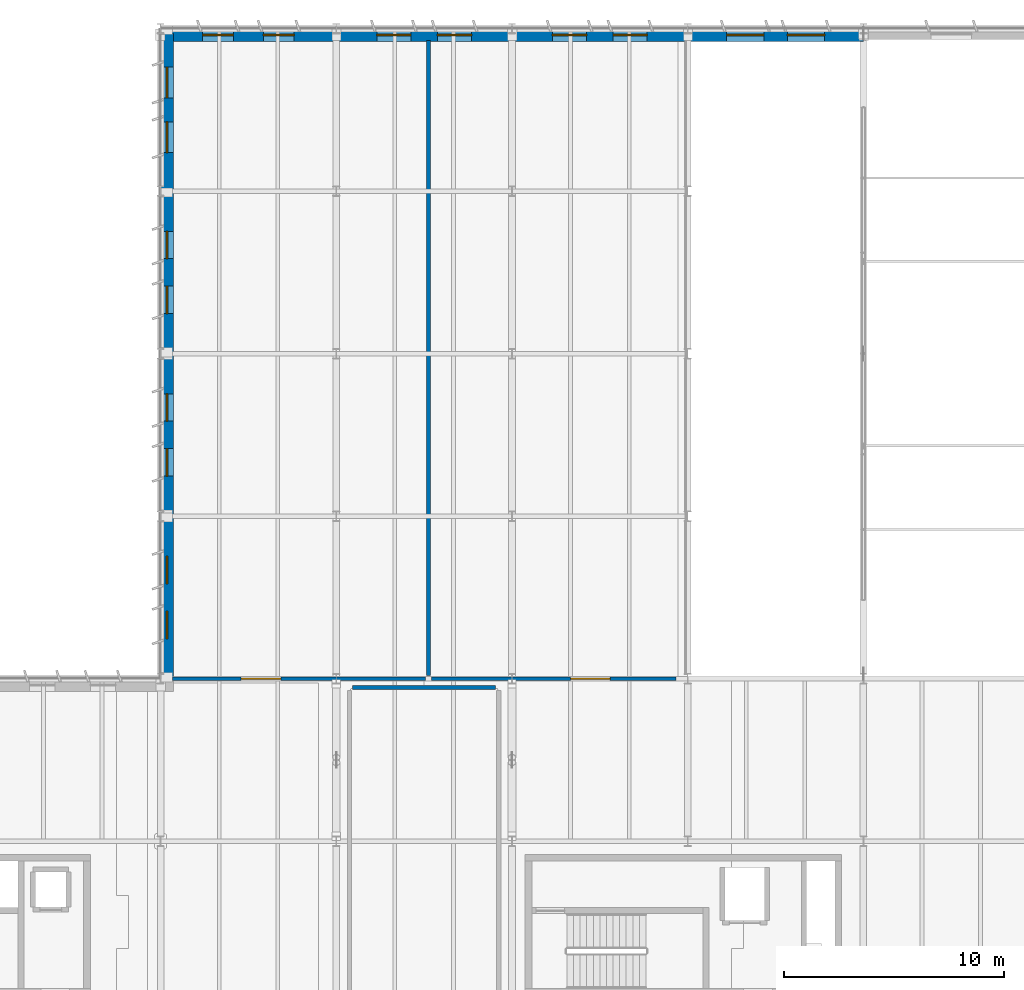
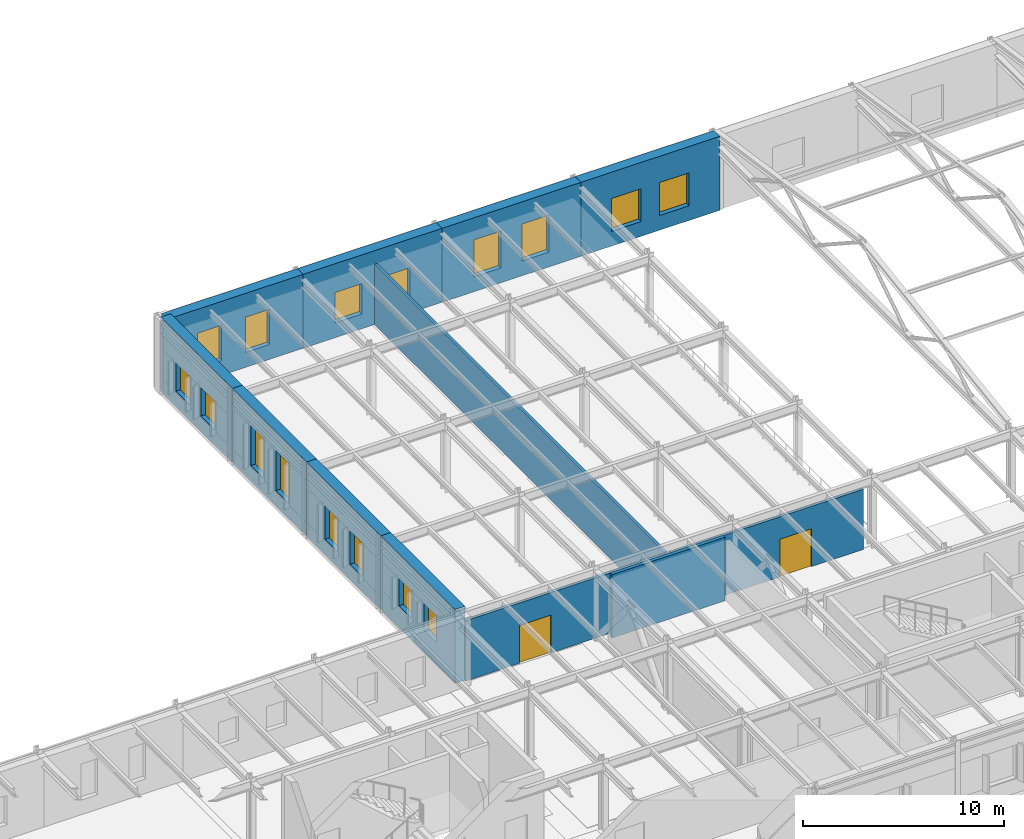
# One storey, part 49 of 75: 16 windows, 12 walls, 2 doors, 18 openings.
"""IFC4 building model written with IfcOpenShell, lengths in metres."""

from ifc_helpers import new_model, si_unit, direction, frame, frame_2d, origin, place, context, subcontext, project, spatial, rectangle, extrude, material, layer, layer_set, type_object, element, fill, save


model = new_model("IFC4")

# Units and contexts
model_context = context("Model", 3, precision=1e-05, world=origin(), true_north=direction((0.0, 1.0)))
body_context = subcontext(model_context, "Body", "Model", "MODEL_VIEW")
ifc_project = project(units=[si_unit("LENGTHUNIT", "METRE"), si_unit("AREAUNIT", "SQUARE_METRE"), si_unit("VOLUMEUNIT", "CUBIC_METRE"), si_unit("PLANEANGLEUNIT", "RADIAN"), si_unit("MASSUNIT", "GRAM", prefix="KILO")], contexts=[model_context])

# Site, building, storey
site_placement = place(None, origin())
site = spatial("IfcSite", under=ifc_project, at=site_placement, CompositionType="ELEMENT")
building_placement = place(site_placement, origin())
building = spatial("IfcBuilding", under=site, at=building_placement, Name="Valkorina Park Police Headquarters", CompositionType="ELEMENT")
storey_placement = place(building_placement, frame((0.0, 0.0, 5.39990234375)))
storey = spatial("IfcBuildingStorey", under=building, at=storey_placement, Name="L02", CompositionType="ELEMENT", Elevation=5.39990234375)

# Wall, opening, door
ifc_material_1 = material(Name="Acoustic mineral board")
ifc_layer_1 = layer(ifc_material_1, 0.175048828125)
ifc_layer_set_1 = layer_set([ifc_layer_1], Name="Acoustic mineral board")
wall_type_1 = type_object("IfcWallType", Name="WL-BRIEF-175-EI60", PredefinedType="PARTITIONING", material=ifc_layer_set_1)
wall_1_placement = place(storey_placement, frame((97.340087890625, 81.39990234375, 0.0), z_axis=(0.0, 0.0, 1.0), x_axis=(1.0, 0.0, 0.0)))
wall_1 = element("IfcWall", 1, at=wall_1_placement, inside=storey, type_object=wall_type_1, Name="L02 Interior Partition 0148 (L02-BRF-01)", PredefinedType="PARTITIONING", context=body_context, shape_type="SweptSolid", body=[
    extrude(rectangle(XDim=11.52001953125, YDim=0.175048828125, at=frame_2d((5.760009765625, 0.0))), origin(), (0.0, 0.0, 1.0), 3.670166015625),
])
opening_1_placement = place(wall_1_placement, frame((3.132080078125, 0.0, 0.0)))
opening_1 = element("IfcOpeningElement", 2, at=opening_1_placement, cuts=wall_1, Name="Opening ID-09", PredefinedType="OPENING", context=body_context, shape_type="SweptSolid", body=[
    extrude(rectangle(XDim=1.800048828125, YDim=2.300048828125, at=frame_2d((0.89990234375, 1.14990234375))), frame((0.0, 0.09765625, 0.0), z_axis=(0.0, -1.0, 0.0), x_axis=(1.0, 0.0, 0.0)), (0.0, 0.0, 1.0), 0.195068359375),
])
ifc_material_2 = material(Name="Thermally broken aluminium AW-6060", Category="aluminium")
ifc_layer_2 = layer(ifc_material_2, 0.050048828125)
ifc_layer_set_2 = layer_set([ifc_layer_2], Name="Thermally broken aluminium AW-6060")
door_type = type_object("IfcDoorType", Name="DR-INT-AUD-1800x2300", OperationType="NOTDEFINED", PredefinedType="DOOR", material=ifc_layer_set_2)
door_1_placement = place(opening_1_placement, origin())
door_1 = element("IfcDoor", 3, at=door_1_placement, inside=storey, type_object=door_type, Name="Door D-L02-I067 (L02-BRF-01)", OperationType="DOUBLE_DOOR_SINGLE_SWING", OverallHeight=2.300048828125, OverallWidth=1.800048828125, PredefinedType="DOOR", context=body_context, shape_type="SweptSolid", body=[
    extrude(rectangle(XDim=1.800048828125, YDim=2.300048828125, at=frame_2d((0.89990234375, 1.14990234375))), frame((0.0, 0.02490234375, 0.0), z_axis=(0.0, -1.0, 0.0), x_axis=(1.0, 0.0, 0.0)), (0.0, 0.0, 1.0), 0.050048828125),
])
fill(opening_1, door_1)

# Wall
wall_2_placement = place(storey_placement, frame((109.0, 81.5400390625, 0.0), z_axis=(0.0, 0.0, 1.0), x_axis=(0.0, 1.0, 0.0)))
element("IfcWall", 4, at=wall_2_placement, inside=storey, type_object=wall_type_1, Name="L02 Interior Partition 0149 (L02-BRF-01)", PredefinedType="PARTITIONING", context=body_context, shape_type="SweptSolid", body=[
    extrude(rectangle(XDim=28.919921875, YDim=0.175048828125, at=frame_2d((14.4599609375, 0.0))), origin(), (0.0, 0.0, 1.0), 3.670166015625),
])

# Wall, opening, door
wall_3_placement = place(storey_placement, frame((109.139892578125, 81.39990234375, 0.0), z_axis=(0.0, 0.0, 1.0), x_axis=(1.0, 0.0, 0.0)))
wall_3 = element("IfcWall", 5, at=wall_3_placement, inside=storey, type_object=wall_type_1, Name="L02 Interior Partition 0150 (L02-BRF-02)", PredefinedType="PARTITIONING", context=body_context, shape_type="SweptSolid", body=[
    extrude(rectangle(XDim=11.1201171875, YDim=0.175048828125, at=frame_2d((5.56005859375, 0.0))), origin(), (0.0, 0.0, 1.0), 3.670166015625),
])
opening_2_placement = place(wall_3_placement, frame((6.327880859375, 0.0, 0.0)))
opening_2 = element("IfcOpeningElement", 6, at=opening_2_placement, cuts=wall_3, Name="Opening ID-09", PredefinedType="OPENING", context=body_context, shape_type="SweptSolid", body=[
    extrude(rectangle(XDim=1.800048828125, YDim=2.300048828125, at=frame_2d((0.89990234375, 1.14990234375))), frame((0.0, 0.09765625, 0.0), z_axis=(0.0, -1.0, 0.0), x_axis=(1.0, 0.0, 0.0)), (0.0, 0.0, 1.0), 0.195068359375),
])
door_2_placement = place(opening_2_placement, origin())
door_2 = element("IfcDoor", 7, at=door_2_placement, inside=storey, type_object=door_type, Name="Door D-L02-I068 (L02-BRF-02)", OperationType="DOUBLE_DOOR_SINGLE_SWING", OverallHeight=2.300048828125, OverallWidth=1.800048828125, PredefinedType="DOOR", context=body_context, shape_type="SweptSolid", body=[
    extrude(rectangle(XDim=1.800048828125, YDim=2.300048828125, at=frame_2d((0.89990234375, 1.14990234375))), frame((0.0, 0.02490234375, 0.0), z_axis=(0.0, -1.0, 0.0), x_axis=(1.0, 0.0, 0.0)), (0.0, 0.0, 1.0), 0.050048828125),
])
fill(opening_2, door_2)

# Wall
ifc_material_3 = material(Name="Autoclaved aerated concrete masonry", Category="masonry")
ifc_layer_3 = layer(ifc_material_3, 0.199951171875)
ifc_layer_set_3 = layer_set([ifc_layer_3], Name="Autoclaved aerated concrete masonry")
wall_type_2 = type_object("IfcWallType", Name="WL-CORR-200-EI60", PredefinedType="STANDARD", material=ifc_layer_set_3)
wall_4_placement = place(storey_placement, frame((105.5400390625, 81.0, 0.0), z_axis=(0.0, 0.0, 1.0), x_axis=(1.0, 0.0, 0.0)))
element("IfcWall", 8, at=wall_4_placement, inside=storey, type_object=wall_type_2, Name="L02 Interior Partition 0145 (L02-IT-02)", PredefinedType="STANDARD", context=body_context, shape_type="SweptSolid", body=[
    extrude(rectangle(XDim=6.52001953125, YDim=0.199951171875, at=frame_2d((3.260009765625, 0.0))), origin(), (0.0, 0.0, 1.0), 3.860107421875),
])

# Wall, openings, windows
ifc_material_4 = material(Name="Concrete C35/45", Category="concrete")
ifc_layer_4 = layer(ifc_material_4, 0.580078125)
ifc_layer_set_4 = layer_set([ifc_layer_4], Name="Concrete C35/45")
wall_type_3 = type_object("IfcWallType", Name="WL-EXT-BOARD-580", PredefinedType="STANDARD", material=ifc_layer_set_4)
wall_5_placement = place(storey_placement, frame((97.090087890625, 81.39990234375, 0.0), z_axis=(0.0, 0.0, 1.0), x_axis=(0.0, 1.0, 0.0)))
wall_5 = element("IfcWall", 9, at=wall_5_placement, inside=storey, type_object=wall_type_3, Name="L02 Architectural Concrete Exterior Wall 0140", PredefinedType="STANDARD", context=body_context, shape_type="SweptSolid", body=[
    extrude(rectangle(XDim=7.400146484375, YDim=0.580078125, at=frame_2d((3.7001953125, 0.0))), origin(), (0.0, 0.0, 1.0), 4.5),
])
opening_3_placement = place(wall_5_placement, frame((1.82763671875, 0.0, 1.35009765625)))
opening_3 = element("IfcOpeningElement", 10, at=opening_3_placement, cuts=wall_5, Name="Opening WN-21", PredefinedType="OPENING", context=body_context, shape_type="SweptSolid", body=[
    extrude(rectangle(XDim=1.25, YDim=1.64990234375, at=frame_2d((0.625, 0.824951171875))), frame((0.0, 0.300048828125, 0.0), z_axis=(0.0, -1.0, 0.0), x_axis=(1.0, 0.0, 0.0)), (0.0, 0.0, 1.0), 0.60009765625),
])
opening_4_placement = place(wall_5_placement, frame((4.322509765625, 0.0, 1.35009765625)))
opening_4 = element("IfcOpeningElement", 11, at=opening_4_placement, cuts=wall_5, Name="Opening WN-21", PredefinedType="OPENING", context=body_context, shape_type="SweptSolid", body=[
    extrude(rectangle(XDim=1.25, YDim=1.64990234375, at=frame_2d((0.625, 0.824951171875))), frame((0.0, 0.300048828125, 0.0), z_axis=(0.0, -1.0, 0.0), x_axis=(1.0, 0.0, 0.0)), (0.0, 0.0, 1.0), 0.60009765625),
])
ifc_material_5 = material(Name="Triple low-E insulated glazing", Category="glass")
ifc_layer_5 = layer(ifc_material_5, 0.06005859375)
ifc_layer_set_5 = layer_set([ifc_layer_5], Name="Triple low-E insulated glazing")
window_type_1 = type_object("IfcWindowType", Name="WN-LAB-1250x1650", PartitioningType="SINGLE_PANEL", PredefinedType="WINDOW", material=ifc_layer_set_5)
window_1_placement = place(opening_3_placement, origin())
window_1 = element("IfcWindow", 12, at=window_1_placement, inside=storey, type_object=window_type_1, Name="Window L02-0232", OverallHeight=1.64990234375, OverallWidth=1.25, PartitioningType="SINGLE_PANEL", PredefinedType="WINDOW", context=body_context, shape_type="SweptSolid", body=[
    extrude(rectangle(XDim=1.25, YDim=1.64990234375, at=frame_2d((0.625, 0.824951171875))), frame((0.0, 0.030029296875, 0.0), z_axis=(0.0, -1.0, 0.0), x_axis=(1.0, 0.0, 0.0)), (0.0, 0.0, 1.0), 0.06005859375),
])
fill(opening_3, window_1)
window_2_placement = place(opening_4_placement, origin())
window_2 = element("IfcWindow", 13, at=window_2_placement, inside=storey, type_object=window_type_1, Name="Window L02-0233", OverallHeight=1.64990234375, OverallWidth=1.25, PartitioningType="SINGLE_PANEL", PredefinedType="WINDOW", context=body_context, shape_type="SweptSolid", body=[
    extrude(rectangle(XDim=1.25, YDim=1.64990234375, at=frame_2d((0.625, 0.824951171875))), frame((0.0, 0.030029296875, 0.0), z_axis=(0.0, -1.0, 0.0), x_axis=(1.0, 0.0, 0.0)), (0.0, 0.0, 1.0), 0.06005859375),
])
fill(opening_4, window_2)

wall_6_placement = place(storey_placement, frame((97.090087890625, 88.800048828125, 0.0), z_axis=(0.0, 0.0, 1.0), x_axis=(0.0, 1.0, 0.0)))
wall_6 = element("IfcWall", 14, at=wall_6_placement, inside=storey, type_object=wall_type_3, Name="L02 Architectural Concrete Exterior Wall 0141", PredefinedType="STANDARD", context=body_context, shape_type="SweptSolid", body=[
    extrude(rectangle(XDim=7.39990234375, YDim=0.580078125, at=frame_2d((3.699951171875, 0.0))), origin(), (0.0, 0.0, 1.0), 4.5),
])
opening_5_placement = place(wall_6_placement, frame((1.82763671875, 0.0, 0.89990234375)))
opening_5 = element("IfcOpeningElement", 15, at=opening_5_placement, cuts=wall_6, Name="Opening WN-22", PredefinedType="OPENING", context=body_context, shape_type="SweptSolid", body=[
    extrude(rectangle(XDim=1.25, YDim=2.050048828125, at=frame_2d((0.625, 1.02490234375))), frame((0.0, 0.300048828125, 0.0), z_axis=(0.0, -1.0, 0.0), x_axis=(1.0, 0.0, 0.0)), (0.0, 0.0, 1.0), 0.60009765625),
])
opening_6_placement = place(wall_6_placement, frame((4.322509765625, 0.0, 0.89990234375)))
opening_6 = element("IfcOpeningElement", 16, at=opening_6_placement, cuts=wall_6, Name="Opening WN-22", PredefinedType="OPENING", context=body_context, shape_type="SweptSolid", body=[
    extrude(rectangle(XDim=1.25, YDim=2.050048828125, at=frame_2d((0.625, 1.02490234375))), frame((0.0, 0.300048828125, 0.0), z_axis=(0.0, -1.0, 0.0), x_axis=(1.0, 0.0, 0.0)), (0.0, 0.0, 1.0), 0.60009765625),
])
ifc_layer_6 = layer(ifc_material_5, 0.06005859375)
ifc_layer_set_6 = layer_set([ifc_layer_6], Name="Triple low-E insulated glazing")
window_type_2 = type_object("IfcWindowType", Name="WN-LAB-1250x2050", PartitioningType="SINGLE_PANEL", PredefinedType="WINDOW", material=ifc_layer_set_6)
window_3_placement = place(opening_5_placement, origin())
window_3 = element("IfcWindow", 17, at=window_3_placement, inside=storey, type_object=window_type_2, Name="Window L02-0234", OverallHeight=2.050048828125, OverallWidth=1.25, PartitioningType="SINGLE_PANEL", PredefinedType="WINDOW", context=body_context, shape_type="SweptSolid", body=[
    extrude(rectangle(XDim=1.25, YDim=2.050048828125, at=frame_2d((0.625, 1.02490234375))), frame((0.0, 0.030029296875, 0.0), z_axis=(0.0, -1.0, 0.0), x_axis=(1.0, 0.0, 0.0)), (0.0, 0.0, 1.0), 0.06005859375),
])
fill(opening_5, window_3)
window_4_placement = place(opening_6_placement, origin())
window_4 = element("IfcWindow", 18, at=window_4_placement, inside=storey, type_object=window_type_2, Name="Window L02-0235", OverallHeight=2.050048828125, OverallWidth=1.25, PartitioningType="SINGLE_PANEL", PredefinedType="WINDOW", context=body_context, shape_type="SweptSolid", body=[
    extrude(rectangle(XDim=1.25, YDim=2.050048828125, at=frame_2d((0.625, 1.02490234375))), frame((0.0, 0.030029296875, 0.0), z_axis=(0.0, -1.0, 0.0), x_axis=(1.0, 0.0, 0.0)), (0.0, 0.0, 1.0), 0.06005859375),
])
fill(opening_6, window_4)

wall_7_placement = place(storey_placement, frame((97.090087890625, 96.199951171875, 0.0), z_axis=(0.0, 0.0, 1.0), x_axis=(0.0, 1.0, 0.0)))
wall_7 = element("IfcWall", 19, at=wall_7_placement, inside=storey, type_object=wall_type_3, Name="L02 Architectural Concrete Exterior Wall 0142", PredefinedType="STANDARD", context=body_context, shape_type="SweptSolid", body=[
    extrude(rectangle(XDim=7.400146484375, YDim=0.580078125, at=frame_2d((3.7001953125, 0.0))), origin(), (0.0, 0.0, 1.0), 4.5),
])
opening_7_placement = place(wall_7_placement, frame((1.82763671875, 0.0, 0.89990234375)))
opening_7 = element("IfcOpeningElement", 20, at=opening_7_placement, cuts=wall_7, Name="Opening WN-23", PredefinedType="OPENING", context=body_context, shape_type="SweptSolid", body=[
    extrude(rectangle(XDim=1.25, YDim=2.449951171875, at=frame_2d((0.625, 1.22509765625))), frame((0.0, 0.300048828125, 0.0), z_axis=(0.0, -1.0, 0.0), x_axis=(1.0, 0.0, 0.0)), (0.0, 0.0, 1.0), 0.60009765625),
])
opening_8_placement = place(wall_7_placement, frame((4.322509765625, 0.0, 0.89990234375)))
opening_8 = element("IfcOpeningElement", 21, at=opening_8_placement, cuts=wall_7, Name="Opening WN-23", PredefinedType="OPENING", context=body_context, shape_type="SweptSolid", body=[
    extrude(rectangle(XDim=1.25, YDim=2.449951171875, at=frame_2d((0.625, 1.22509765625))), frame((0.0, 0.300048828125, 0.0), z_axis=(0.0, -1.0, 0.0), x_axis=(1.0, 0.0, 0.0)), (0.0, 0.0, 1.0), 0.60009765625),
])
ifc_layer_7 = layer(ifc_material_5, 0.06005859375)
ifc_layer_set_7 = layer_set([ifc_layer_7], Name="Triple low-E insulated glazing")
window_type_3 = type_object("IfcWindowType", Name="WN-LAB-1250x2450", PartitioningType="SINGLE_PANEL", PredefinedType="WINDOW", material=ifc_layer_set_7)
window_5_placement = place(opening_7_placement, origin())
window_5 = element("IfcWindow", 22, at=window_5_placement, inside=storey, type_object=window_type_3, Name="Window L02-0236", OverallHeight=2.449951171875, OverallWidth=1.25, PartitioningType="SINGLE_PANEL", PredefinedType="WINDOW", context=body_context, shape_type="SweptSolid", body=[
    extrude(rectangle(XDim=1.25, YDim=2.449951171875, at=frame_2d((0.625, 1.22509765625))), frame((0.0, 0.030029296875, 0.0), z_axis=(0.0, -1.0, 0.0), x_axis=(1.0, 0.0, 0.0)), (0.0, 0.0, 1.0), 0.06005859375),
])
fill(opening_7, window_5)
window_6_placement = place(opening_8_placement, origin())
window_6 = element("IfcWindow", 23, at=window_6_placement, inside=storey, type_object=window_type_3, Name="Window L02-0237", OverallHeight=2.449951171875, OverallWidth=1.25, PartitioningType="SINGLE_PANEL", PredefinedType="WINDOW", context=body_context, shape_type="SweptSolid", body=[
    extrude(rectangle(XDim=1.25, YDim=2.449951171875, at=frame_2d((0.625, 1.22509765625))), frame((0.0, 0.030029296875, 0.0), z_axis=(0.0, -1.0, 0.0), x_axis=(1.0, 0.0, 0.0)), (0.0, 0.0, 1.0), 0.06005859375),
])
fill(opening_8, window_6)

wall_8_placement = place(storey_placement, frame((97.090087890625, 103.60009765625, 0.0), z_axis=(0.0, 0.0, 1.0), x_axis=(0.0, 1.0, 0.0)))
wall_8 = element("IfcWall", 24, at=wall_8_placement, inside=storey, type_object=wall_type_3, Name="L02 Architectural Concrete Exterior Wall 0143", PredefinedType="STANDARD", context=body_context, shape_type="SweptSolid", body=[
    extrude(rectangle(XDim=7.164794921875, YDim=0.580078125, at=frame_2d((3.58251953125, 0.0))), origin(), (0.0, 0.0, 1.0), 4.5),
])
opening_9_placement = place(wall_8_placement, frame((1.752685546875, 0.0, 0.89990234375)))
opening_9 = element("IfcOpeningElement", 25, at=opening_9_placement, cuts=wall_8, Name="Opening WN-24", PredefinedType="OPENING", context=body_context, shape_type="SweptSolid", body=[
    extrude(rectangle(XDim=1.39990234375, YDim=1.75, at=frame_2d((0.699951171875, 0.875))), frame((0.0, 0.300048828125, 0.0), z_axis=(0.0, -1.0, 0.0), x_axis=(1.0, 0.0, 0.0)), (0.0, 0.0, 1.0), 0.60009765625),
])
opening_10_placement = place(wall_8_placement, frame((4.247314453125, 0.0, 0.89990234375)))
opening_10 = element("IfcOpeningElement", 26, at=opening_10_placement, cuts=wall_8, Name="Opening WN-24", PredefinedType="OPENING", context=body_context, shape_type="SweptSolid", body=[
    extrude(rectangle(XDim=1.39990234375, YDim=1.75, at=frame_2d((0.699951171875, 0.875))), frame((0.0, 0.300048828125, 0.0), z_axis=(0.0, -1.0, 0.0), x_axis=(1.0, 0.0, 0.0)), (0.0, 0.0, 1.0), 0.60009765625),
])
ifc_layer_8 = layer(ifc_material_5, 0.06005859375)
ifc_layer_set_8 = layer_set([ifc_layer_8], Name="Triple low-E insulated glazing")
window_type_4 = type_object("IfcWindowType", Name="WN-LAB-1400x1750", PartitioningType="SINGLE_PANEL", PredefinedType="WINDOW", material=ifc_layer_set_8)
window_7_placement = place(opening_9_placement, origin())
window_7 = element("IfcWindow", 27, at=window_7_placement, inside=storey, type_object=window_type_4, Name="Window L02-0238", OverallHeight=1.75, OverallWidth=1.39990234375, PartitioningType="SINGLE_PANEL", PredefinedType="WINDOW", context=body_context, shape_type="SweptSolid", body=[
    extrude(rectangle(XDim=1.39990234375, YDim=1.75, at=frame_2d((0.699951171875, 0.875))), frame((0.0, 0.030029296875, 0.0), z_axis=(0.0, -1.0, 0.0), x_axis=(1.0, 0.0, 0.0)), (0.0, 0.0, 1.0), 0.06005859375),
])
fill(opening_9, window_7)
window_8_placement = place(opening_10_placement, origin())
window_8 = element("IfcWindow", 28, at=window_8_placement, inside=storey, type_object=window_type_4, Name="Window L02-0239", OverallHeight=1.75, OverallWidth=1.39990234375, PartitioningType="SINGLE_PANEL", PredefinedType="WINDOW", context=body_context, shape_type="SweptSolid", body=[
    extrude(rectangle(XDim=1.39990234375, YDim=1.75, at=frame_2d((0.699951171875, 0.875))), frame((0.0, 0.030029296875, 0.0), z_axis=(0.0, -1.0, 0.0), x_axis=(1.0, 0.0, 0.0)), (0.0, 0.0, 1.0), 0.06005859375),
])
fill(opening_10, window_8)

wall_9_placement = place(storey_placement, frame((96.9599609375, 110.7099609375, 0.0), z_axis=(0.0, 0.0, 1.0), x_axis=(1.0, 0.0, 0.0)))
wall_9 = element("IfcWall", 29, at=wall_9_placement, inside=storey, type_object=wall_type_3, Name="L02 Architectural Concrete Exterior Wall 0144", PredefinedType="STANDARD", context=body_context, shape_type="SweptSolid", body=[
    extrude(rectangle(XDim=7.840087890625, YDim=0.580078125, at=frame_2d((3.919921875, 0.0))), origin(), (0.0, 0.0, 1.0), 4.5),
])
opening_11_placement = place(wall_9_placement, frame((1.757568359375, 0.0, 0.89990234375)))
opening_11 = element("IfcOpeningElement", 30, at=opening_11_placement, cuts=wall_9, Name="Opening WN-25", PredefinedType="OPENING", context=body_context, shape_type="SweptSolid", body=[
    extrude(rectangle(XDim=1.39990234375, YDim=2.14990234375, at=frame_2d((0.699951171875, 1.074951171875))), frame((0.0, 0.300048828125, 0.0), z_axis=(0.0, -1.0, 0.0), x_axis=(1.0, 0.0, 0.0)), (0.0, 0.0, 1.0), 0.60009765625),
])
opening_12_placement = place(wall_9_placement, frame((4.5224609375, 0.0, 0.89990234375)))
opening_12 = element("IfcOpeningElement", 31, at=opening_12_placement, cuts=wall_9, Name="Opening WN-25", PredefinedType="OPENING", context=body_context, shape_type="SweptSolid", body=[
    extrude(rectangle(XDim=1.39990234375, YDim=2.14990234375, at=frame_2d((0.699951171875, 1.074951171875))), frame((0.0, 0.300048828125, 0.0), z_axis=(0.0, -1.0, 0.0), x_axis=(1.0, 0.0, 0.0)), (0.0, 0.0, 1.0), 0.60009765625),
])
ifc_layer_9 = layer(ifc_material_5, 0.06005859375)
ifc_layer_set_9 = layer_set([ifc_layer_9], Name="Triple low-E insulated glazing")
window_type_5 = type_object("IfcWindowType", Name="WN-LAB-1400x2150", PartitioningType="SINGLE_PANEL", PredefinedType="WINDOW", material=ifc_layer_set_9)
window_9_placement = place(opening_11_placement, origin())
window_9 = element("IfcWindow", 32, at=window_9_placement, inside=storey, type_object=window_type_5, Name="Window L02-0240", OverallHeight=2.14990234375, OverallWidth=1.39990234375, PartitioningType="SINGLE_PANEL", PredefinedType="WINDOW", context=body_context, shape_type="SweptSolid", body=[
    extrude(rectangle(XDim=1.39990234375, YDim=2.14990234375, at=frame_2d((0.699951171875, 1.074951171875))), frame((0.0, 0.030029296875, 0.0), z_axis=(0.0, -1.0, 0.0), x_axis=(1.0, 0.0, 0.0)), (0.0, 0.0, 1.0), 0.06005859375),
])
fill(opening_11, window_9)
window_10_placement = place(opening_12_placement, origin())
window_10 = element("IfcWindow", 33, at=window_10_placement, inside=storey, type_object=window_type_5, Name="Window L02-0241", OverallHeight=2.14990234375, OverallWidth=1.39990234375, PartitioningType="SINGLE_PANEL", PredefinedType="WINDOW", context=body_context, shape_type="SweptSolid", body=[
    extrude(rectangle(XDim=1.39990234375, YDim=2.14990234375, at=frame_2d((0.699951171875, 1.074951171875))), frame((0.0, 0.030029296875, 0.0), z_axis=(0.0, -1.0, 0.0), x_axis=(1.0, 0.0, 0.0)), (0.0, 0.0, 1.0), 0.06005859375),
])
fill(opening_12, window_10)

wall_10_placement = place(storey_placement, frame((104.800048828125, 110.7099609375, 0.0), z_axis=(0.0, 0.0, 1.0), x_axis=(1.0, 0.0, 0.0)))
wall_10 = element("IfcWall", 34, at=wall_10_placement, inside=storey, type_object=wall_type_3, Name="L02 Architectural Concrete Exterior Wall 0145", PredefinedType="STANDARD", context=body_context, shape_type="SweptSolid", body=[
    extrude(rectangle(XDim=8.0, YDim=0.580078125, at=frame_2d((4.0, 0.0))), origin(), (0.0, 0.0, 1.0), 4.5),
])
opening_13_placement = place(wall_10_placement, frame((1.842529296875, 0.0, 0.89990234375)))
opening_13 = element("IfcOpeningElement", 35, at=opening_13_placement, cuts=wall_10, Name="Opening WN-26", PredefinedType="OPENING", context=body_context, shape_type="SweptSolid", body=[
    extrude(rectangle(XDim=1.550048828125, YDim=1.85009765625, at=frame_2d((0.77490234375, 0.925048828125))), frame((0.0, 0.300048828125, 0.0), z_axis=(0.0, -1.0, 0.0), x_axis=(1.0, 0.0, 0.0)), (0.0, 0.0, 1.0), 0.60009765625),
])
opening_14_placement = place(wall_10_placement, frame((4.607421875, 0.0, 0.89990234375)))
opening_14 = element("IfcOpeningElement", 36, at=opening_14_placement, cuts=wall_10, Name="Opening WN-26", PredefinedType="OPENING", context=body_context, shape_type="SweptSolid", body=[
    extrude(rectangle(XDim=1.550048828125, YDim=1.85009765625, at=frame_2d((0.77490234375, 0.925048828125))), frame((0.0, 0.300048828125, 0.0), z_axis=(0.0, -1.0, 0.0), x_axis=(1.0, 0.0, 0.0)), (0.0, 0.0, 1.0), 0.60009765625),
])
ifc_layer_10 = layer(ifc_material_5, 0.06005859375)
ifc_layer_set_10 = layer_set([ifc_layer_10], Name="Triple low-E insulated glazing")
window_type_6 = type_object("IfcWindowType", Name="WN-COURT-1550x1850", PartitioningType="SINGLE_PANEL", PredefinedType="WINDOW", material=ifc_layer_set_10)
window_11_placement = place(opening_13_placement, origin())
window_11 = element("IfcWindow", 37, at=window_11_placement, inside=storey, type_object=window_type_6, Name="Window L02-0242", OverallHeight=1.85009765625, OverallWidth=1.550048828125, PartitioningType="SINGLE_PANEL", PredefinedType="WINDOW", context=body_context, shape_type="SweptSolid", body=[
    extrude(rectangle(XDim=1.550048828125, YDim=1.85009765625, at=frame_2d((0.77490234375, 0.925048828125))), frame((0.0, 0.030029296875, 0.0), z_axis=(0.0, -1.0, 0.0), x_axis=(1.0, 0.0, 0.0)), (0.0, 0.0, 1.0), 0.06005859375),
])
fill(opening_13, window_11)
window_12_placement = place(opening_14_placement, origin())
window_12 = element("IfcWindow", 38, at=window_12_placement, inside=storey, type_object=window_type_6, Name="Window L02-0243", OverallHeight=1.85009765625, OverallWidth=1.550048828125, PartitioningType="SINGLE_PANEL", PredefinedType="WINDOW", context=body_context, shape_type="SweptSolid", body=[
    extrude(rectangle(XDim=1.550048828125, YDim=1.85009765625, at=frame_2d((0.77490234375, 0.925048828125))), frame((0.0, 0.030029296875, 0.0), z_axis=(0.0, -1.0, 0.0), x_axis=(1.0, 0.0, 0.0)), (0.0, 0.0, 1.0), 0.06005859375),
])
fill(opening_14, window_12)

wall_11_placement = place(storey_placement, frame((112.800048828125, 110.7099609375, 0.0), z_axis=(0.0, 0.0, 1.0), x_axis=(1.0, 0.0, 0.0)))
wall_11 = element("IfcWall", 39, at=wall_11_placement, inside=storey, type_object=wall_type_3, Name="L02 Architectural Concrete Exterior Wall 0146", PredefinedType="STANDARD", context=body_context, shape_type="SweptSolid", body=[
    extrude(rectangle(XDim=8.0, YDim=0.580078125, at=frame_2d((4.0, 0.0))), origin(), (0.0, 0.0, 1.0), 4.5),
])
opening_15_placement = place(wall_11_placement, frame((1.842529296875, 0.0, 0.89990234375)))
opening_15 = element("IfcOpeningElement", 40, at=opening_15_placement, cuts=wall_11, Name="Opening WN-27", PredefinedType="OPENING", context=body_context, shape_type="SweptSolid", body=[
    extrude(rectangle(XDim=1.550048828125, YDim=2.25, at=frame_2d((0.77490234375, 1.125))), frame((0.0, 0.300048828125, 0.0), z_axis=(0.0, -1.0, 0.0), x_axis=(1.0, 0.0, 0.0)), (0.0, 0.0, 1.0), 0.60009765625),
])
opening_16_placement = place(wall_11_placement, frame((4.607421875, 0.0, 0.89990234375)))
opening_16 = element("IfcOpeningElement", 41, at=opening_16_placement, cuts=wall_11, Name="Opening WN-27", PredefinedType="OPENING", context=body_context, shape_type="SweptSolid", body=[
    extrude(rectangle(XDim=1.550048828125, YDim=2.25, at=frame_2d((0.77490234375, 1.125))), frame((0.0, 0.300048828125, 0.0), z_axis=(0.0, -1.0, 0.0), x_axis=(1.0, 0.0, 0.0)), (0.0, 0.0, 1.0), 0.60009765625),
])
ifc_layer_11 = layer(ifc_material_5, 0.06005859375)
ifc_layer_set_11 = layer_set([ifc_layer_11], Name="Triple low-E insulated glazing")
window_type_7 = type_object("IfcWindowType", Name="WN-COURT-1550x2250", PartitioningType="SINGLE_PANEL", PredefinedType="WINDOW", material=ifc_layer_set_11)
window_13_placement = place(opening_15_placement, origin())
window_13 = element("IfcWindow", 42, at=window_13_placement, inside=storey, type_object=window_type_7, Name="Window L02-0244", OverallHeight=2.25, OverallWidth=1.550048828125, PartitioningType="SINGLE_PANEL", PredefinedType="WINDOW", context=body_context, shape_type="SweptSolid", body=[
    extrude(rectangle(XDim=1.550048828125, YDim=2.25, at=frame_2d((0.77490234375, 1.125))), frame((0.0, 0.030029296875, 0.0), z_axis=(0.0, -1.0, 0.0), x_axis=(1.0, 0.0, 0.0)), (0.0, 0.0, 1.0), 0.06005859375),
])
fill(opening_15, window_13)
window_14_placement = place(opening_16_placement, origin())
window_14 = element("IfcWindow", 43, at=window_14_placement, inside=storey, type_object=window_type_7, Name="Window L02-0245", OverallHeight=2.25, OverallWidth=1.550048828125, PartitioningType="SINGLE_PANEL", PredefinedType="WINDOW", context=body_context, shape_type="SweptSolid", body=[
    extrude(rectangle(XDim=1.550048828125, YDim=2.25, at=frame_2d((0.77490234375, 1.125))), frame((0.0, 0.030029296875, 0.0), z_axis=(0.0, -1.0, 0.0), x_axis=(1.0, 0.0, 0.0)), (0.0, 0.0, 1.0), 0.06005859375),
])
fill(opening_16, window_14)

wall_12_placement = place(storey_placement, frame((120.800048828125, 110.7099609375, 0.0), z_axis=(0.0, 0.0, 1.0), x_axis=(1.0, 0.0, 0.0)))
wall_12 = element("IfcWall", 44, at=wall_12_placement, inside=storey, type_object=wall_type_3, Name="L02 Architectural Concrete Exterior Wall 0147", PredefinedType="STANDARD", context=body_context, shape_type="SweptSolid", body=[
    extrude(rectangle(XDim=8.0, YDim=0.580078125, at=frame_2d((4.0, 0.0))), origin(), (0.0, 0.0, 1.0), 4.5),
])
opening_17_placement = place(wall_12_placement, frame((1.767578125, 0.0, 0.89990234375)))
opening_17 = element("IfcOpeningElement", 45, at=opening_17_placement, cuts=wall_12, Name="Opening WN-28", PredefinedType="OPENING", context=body_context, shape_type="SweptSolid", body=[
    extrude(rectangle(XDim=1.699951171875, YDim=2.0, at=frame_2d((0.85009765625, 1.0))), frame((0.0, 0.300048828125, 0.0), z_axis=(0.0, -1.0, 0.0), x_axis=(1.0, 0.0, 0.0)), (0.0, 0.0, 1.0), 0.60009765625),
])
opening_18_placement = place(wall_12_placement, frame((4.532470703125, 0.0, 0.89990234375)))
opening_18 = element("IfcOpeningElement", 46, at=opening_18_placement, cuts=wall_12, Name="Opening WN-28", PredefinedType="OPENING", context=body_context, shape_type="SweptSolid", body=[
    extrude(rectangle(XDim=1.699951171875, YDim=2.0, at=frame_2d((0.85009765625, 1.0))), frame((0.0, 0.300048828125, 0.0), z_axis=(0.0, -1.0, 0.0), x_axis=(1.0, 0.0, 0.0)), (0.0, 0.0, 1.0), 0.60009765625),
])
ifc_layer_12 = layer(ifc_material_5, 0.06005859375)
ifc_layer_set_12 = layer_set([ifc_layer_12], Name="Triple low-E insulated glazing")
window_type_8 = type_object("IfcWindowType", Name="WN-COURT-1700x2000", PartitioningType="SINGLE_PANEL", PredefinedType="WINDOW", material=ifc_layer_set_12)
window_15_placement = place(opening_17_placement, origin())
window_15 = element("IfcWindow", 47, at=window_15_placement, inside=storey, type_object=window_type_8, Name="Window L02-0246", OverallHeight=2.0, OverallWidth=1.699951171875, PartitioningType="SINGLE_PANEL", PredefinedType="WINDOW", context=body_context, shape_type="SweptSolid", body=[
    extrude(rectangle(XDim=1.699951171875, YDim=2.0, at=frame_2d((0.85009765625, 1.0))), frame((0.0, 0.030029296875, 0.0), z_axis=(0.0, -1.0, 0.0), x_axis=(1.0, 0.0, 0.0)), (0.0, 0.0, 1.0), 0.06005859375),
])
fill(opening_17, window_15)
window_16_placement = place(opening_18_placement, origin())
window_16 = element("IfcWindow", 48, at=window_16_placement, inside=storey, type_object=window_type_8, Name="Window L02-0247", OverallHeight=2.0, OverallWidth=1.699951171875, PartitioningType="SINGLE_PANEL", PredefinedType="WINDOW", context=body_context, shape_type="SweptSolid", body=[
    extrude(rectangle(XDim=1.699951171875, YDim=2.0, at=frame_2d((0.85009765625, 1.0))), frame((0.0, 0.030029296875, 0.0), z_axis=(0.0, -1.0, 0.0), x_axis=(1.0, 0.0, 0.0)), (0.0, 0.0, 1.0), 0.06005859375),
])
fill(opening_18, window_16)

save(model, "model.ifc")
